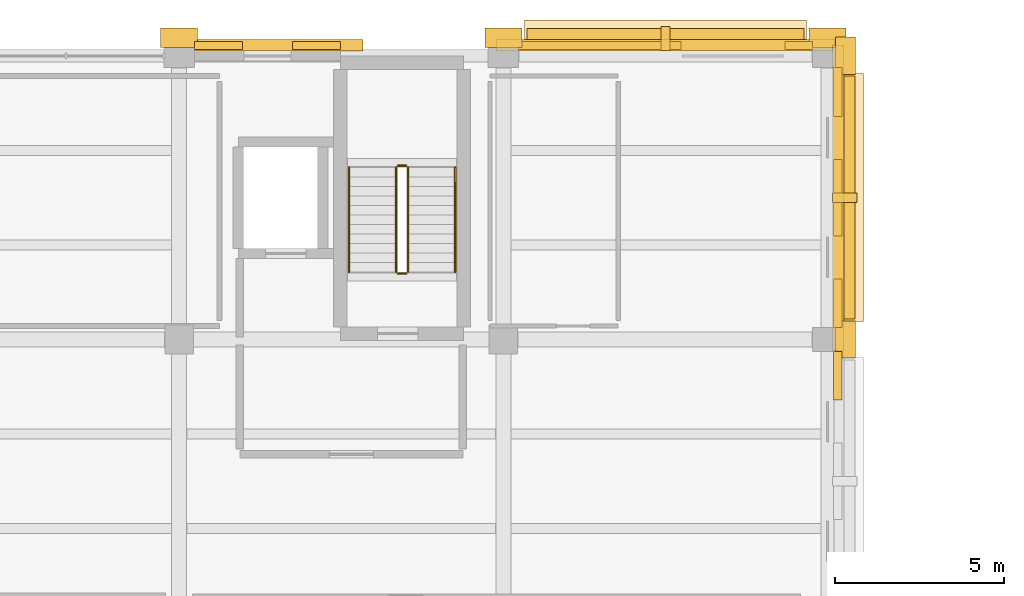
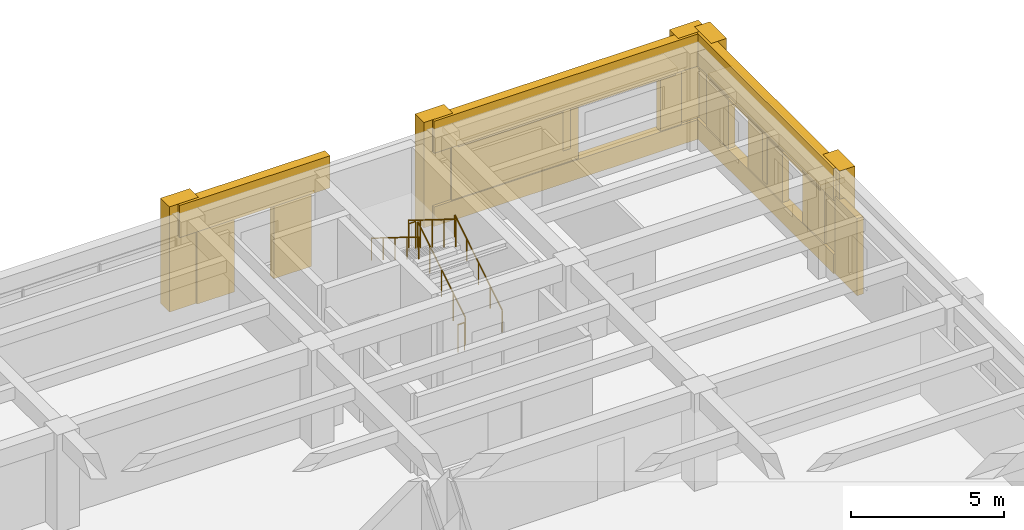
# One storey, part 58 of 58: 22 coverings, 6 railings, 2 shading devices.
"""IFC4 building model written with IfcOpenShell, lengths in metres."""

import ifcopenshell
import ifcopenshell.guid

model = None  # the IFC model being written
_history = None  # IfcOwnerHistory: only IFC2X3 demands one
_inside = {}  # id of a spatial element -> (the spatial element, [elements in it])
_under = {}  # id of a project, library or spatial element -> (it, [spatial elements below it])
_declared = {}  # id of a project -> (the project, [libraries it declares])
_typed = {}  # id of a type object -> (the type object, [elements of that type])
_made_of = {}  # id of a material, layer set ... -> (it, [elements and type objects made of it])


def new_model(schema):
    """Start an empty IFC model of exactly this schema.

    Asked for "IFC4X3", IfcOpenShell would pick the latest addendum, in which some entities
    have other attributes; the version numbers below select the first issue.
    IFC2X3 requires an IfcOwnerHistory on every rooted entity: one is made here for all.
    """
    global model, _history
    if schema == "IFC4X3":
        model = ifcopenshell.file(schema_version=(4, 3, 0, 0))
    else:
        model = ifcopenshell.file(schema=schema)
    _inside.clear()
    _under.clear()
    _declared.clear()
    _typed.clear()
    _made_of.clear()
    _history = None
    if model.schema == "IFC2X3":
        org = make("IfcOrganization", Name="unknown")
        user = make(
            "IfcPersonAndOrganization",
            ThePerson=make("IfcPerson", FamilyName="unknown"),
            TheOrganization=org,
        )
        app = make(
            "IfcApplication",
            ApplicationDeveloper=org,
            Version="unknown",
            ApplicationFullName="unknown",
            ApplicationIdentifier="unknown",
        )
        _history = make(
            "IfcOwnerHistory",
            OwningUser=user,
            OwningApplication=app,
            ChangeAction="ADDED",
            CreationDate=0,
        )
    return model


def make(cls, **values):
    """One entity of the class cls with the attributes given. An attribute that is None is left unset."""
    return model.create_entity(
        cls, **{name: value for name, value in values.items() if value is not None}
    )


def rooted(cls, **values):
    """An entity with a GlobalId (a new one), such as an element, a storey or a relation."""
    return make(cls, GlobalId=ifcopenshell.guid.new(), OwnerHistory=_history, **values)


def si_unit(unit_type, name, prefix=None):
    """IfcSIUnit, for example si_unit("LENGTHUNIT", "METRE", prefix="MILLI")."""
    return make("IfcSIUnit", UnitType=unit_type, Prefix=prefix, Name=name)


def assignment(units):
    """IfcUnitAssignment: the units of a project."""
    return None if units is None else make("IfcUnitAssignment", Units=units)


def point(xyz):
    """IfcCartesianPoint."""
    return None if xyz is None else make("IfcCartesianPoint", Coordinates=xyz)


def direction(xyz):
    """IfcDirection."""
    return None if xyz is None else make("IfcDirection", DirectionRatios=xyz)


def frame(location, z_axis=None, x_axis=None):
    """IfcAxis2Placement3D, a coordinate frame: its origin and axes. An axis left out is left unset."""
    return make(
        "IfcAxis2Placement3D",
        Location=point(location),
        Axis=direction(z_axis),
        RefDirection=direction(x_axis),
    )


def frame_2d(location, x_axis=None):
    """IfcAxis2Placement2D, a coordinate frame in the plane: its origin and x axis."""
    return make(
        "IfcAxis2Placement2D", Location=point(location), RefDirection=direction(x_axis)
    )


def origin():
    """The frame at (0, 0, 0) with its axes left unset."""
    return frame((0.0, 0.0, 0.0))


def origin_2d():
    """The frame at (0, 0) in the plane with its x axis left unset."""
    return frame_2d((0.0, 0.0))


def place(relative_to, where):
    """IfcLocalPlacement: puts the frame where relative to a parent placement (None: the world)."""
    return make(
        "IfcLocalPlacement", PlacementRelTo=relative_to, RelativePlacement=where
    )


def context(
    kind, dimensions, precision=None, world=None, true_north=None, identifier=None
):
    """IfcGeometricRepresentationContext, for example the 3D "Model" context."""
    return make(
        "IfcGeometricRepresentationContext",
        ContextIdentifier=identifier,
        ContextType=kind,
        CoordinateSpaceDimension=dimensions,
        Precision=precision,
        WorldCoordinateSystem=world,
        TrueNorth=true_north,
    )


def subcontext(parent, identifier, kind, view, scale=None):
    """IfcGeometricRepresentationSubContext, for example "Body" below "Model"."""
    return make(
        "IfcGeometricRepresentationSubContext",
        ContextIdentifier=identifier,
        ContextType=kind,
        ParentContext=parent,
        TargetScale=scale,
        TargetView=view,
    )


def project(units=None, contexts=None):
    """IfcProject with its units and contexts."""
    return rooted(
        "IfcProject",
        Name="project",
        RepresentationContexts=contexts,
        UnitsInContext=assignment(units),
    )


def spatial(cls, under=None, at=None, **own):
    """A site, building, storey or space (cls), placed at a placement, below another one or the project."""
    s = rooted(cls, ObjectPlacement=at, **own)
    if under is not None:
        _under.setdefault(under.id(), (under, []))[1].append(s)
    return s


def profile(cls, at=None, kind="AREA", **sizes):
    """A parametric profile (cls). Its sizes go by their IFC names, for example OverallWidth=200.0."""
    return make(cls, ProfileType=kind, Position=at, **sizes)


def rectangle(**sizes):
    """IfcRectangleProfileDef."""
    return profile("IfcRectangleProfileDef", **sizes)


def circle(**sizes):
    """IfcCircleProfileDef."""
    return profile("IfcCircleProfileDef", **sizes)


def extrude(swept, where, along, depth):
    """IfcExtrudedAreaSolid: the profile swept, set in the frame where, extruded along a direction by depth."""
    return make(
        "IfcExtrudedAreaSolid",
        SweptArea=swept,
        Position=where,
        ExtrudedDirection=direction(along),
        Depth=depth,
    )


def shape(context_of_items, identifier, shape_type, items):
    """IfcShapeRepresentation: the items that make up one representation, for example the "Body"."""
    return make(
        "IfcShapeRepresentation",
        ContextOfItems=context_of_items,
        RepresentationIdentifier=identifier,
        RepresentationType=shape_type,
        Items=items,
    )


def material(Name=None, Category=None):
    """IfcMaterial."""
    return make("IfcMaterial", Name=Name, Category=Category)


def layer(
    of_material, thickness, ventilated=None, Name=None, Category=None, Priority=None
):
    """IfcMaterialLayer: one layer of a wall or slab, of a material (None: an air gap)."""
    return make(
        "IfcMaterialLayer",
        Material=of_material,
        LayerThickness=thickness,
        IsVentilated=ventilated,
        Name=Name,
        Category=Category,
        Priority=Priority,
    )


def layer_set(layers, Name=None):
    """IfcMaterialLayerSet."""
    return make("IfcMaterialLayerSet", MaterialLayers=layers, LayerSetName=Name)


def made_of(thing, what):
    """Note that an element or type object is made of a material, layer set ...; save() writes the relation."""
    if what is not None:
        _made_of.setdefault(what.id(), (what, []))[1].append(thing)
    return thing


def type_object(cls, material=None, **own):
    """A type object (cls), such as IfcWallType, which elements share."""
    return made_of(rooted(cls, **own), material)


def element(
    cls,
    number,
    at=None,
    inside=None,
    cuts=None,
    type_object=None,
    material=None,
    context=None,
    identifier="Body",
    shape_type=None,
    held_by="IfcProductDefinitionShape",
    body=None,
    shapes=None,
    **own,
):
    """One element of the class cls, such as IfcWall. Its Tag is "e" and its number.

    at: its placement. inside: the storey or other place that contains it. cuts: it is an
    opening in that element (IfcRelVoidsElement). A single representation is given by context,
    identifier, shape_type and body (its items); several are given by shapes. held_by: the class
    of the entity that holds the representations. save() writes the other relations.
    """
    e = rooted(cls, Tag="e%d" % number, ObjectPlacement=at, **own)
    if body is not None:
        shapes = [shape(context, identifier, shape_type, body)]
    if shapes is not None:
        e.Representation = make(held_by, Representations=shapes)
    if inside is not None:
        _inside.setdefault(inside.id(), (inside, []))[1].append(e)
    if cuts is not None:
        rooted(
            "IfcRelVoidsElement", RelatingBuildingElement=cuts, RelatedOpeningElement=e
        )
    if type_object is not None:
        _typed.setdefault(type_object.id(), (type_object, []))[1].append(e)
    return made_of(e, material)


def aggregate(whole, parts):
    """IfcRelAggregates: a whole, such as a stair, and the parts it consists of."""
    return rooted("IfcRelAggregates", RelatingObject=whole, RelatedObjects=parts)


def save(model, path):
    """Write the relations noted so far, then the file.

    IfcRelAggregates (storeys below a building ...), IfcRelContainedInSpatialStructure (elements
    in a storey), IfcRelDefinesByType, IfcRelAssociatesMaterial and IfcRelDeclares: one each for
    every whole, place, type object, material and project.
    """
    for whole, parts in _under.values():
        aggregate(whole, parts)
    for where, things in _inside.values():
        rooted(
            "IfcRelContainedInSpatialStructure",
            RelatedElements=things,
            RelatingStructure=where,
        )
    for kind, things in _typed.values():
        rooted("IfcRelDefinesByType", RelatedObjects=things, RelatingType=kind)
    for what, things in _made_of.values():
        rooted("IfcRelAssociatesMaterial", RelatedObjects=things, RelatingMaterial=what)
    for by, libraries in _declared.values():
        rooted("IfcRelDeclares", RelatingContext=by, RelatedDefinitions=libraries)
    model.write(path)


model = new_model("IFC4")

# Units and contexts
model_context = context("Model", 3, precision=1e-05, world=origin(), true_north=direction((0.0, 1.0)))
body_context = subcontext(model_context, "Body", "Model", "MODEL_VIEW")
ifc_project = project(units=[si_unit("LENGTHUNIT", "METRE"), si_unit("AREAUNIT", "SQUARE_METRE"), si_unit("VOLUMEUNIT", "CUBIC_METRE"), si_unit("PLANEANGLEUNIT", "RADIAN"), si_unit("MASSUNIT", "GRAM", prefix="KILO")], contexts=[model_context])

# Site, building, storey
site_placement = place(None, origin())
site = spatial("IfcSite", under=ifc_project, at=site_placement, CompositionType="ELEMENT")
building_placement = place(site_placement, origin())
building = spatial("IfcBuilding", under=site, at=building_placement, Name="Bempovik Park Faculty of Sciences", CompositionType="ELEMENT")
storey_placement = place(building_placement, frame((0.0, 0.0, 18.300048828125)))
storey = spatial("IfcBuildingStorey", under=building, at=storey_placement, Name="L04", CompositionType="ELEMENT", Elevation=18.300048828125)

# Coverings
ifc_material_1 = material(Name="Precast concrete C40/50", Category="concrete")
ifc_layer_1 = layer(ifc_material_1, 0.179931640625)
ifc_layer_set_1 = layer_set([ifc_layer_1], Name="Precast concrete C40/50")
covering_type_1 = type_object("IfcCoveringType", Name="CL-02 Classical Cornice Band 180mm", PredefinedType="CLADDING", material=ifc_layer_set_1)
covering_1_placement = place(storey_placement, frame((112.800048828125, 120.0, 2.91015625), z_axis=(0.0, 0.0, 1.0), x_axis=(1.0, 0.0, 0.0)))
element("IfcCovering", 1, at=covering_1_placement, inside=storey, type_object=covering_type_1, Name="L04 Classical Stone Solar Window Hood EW-L04-9810", PredefinedType="CLADDING", context=body_context, shape_type="SweptSolid", body=[
    extrude(rectangle(XDim=8.345947265625, YDim=0.919921875, at=origin_2d()), origin(), (0.0, 0.0, 1.0), 0.219970703125),
])
covering_2_placement = place(storey_placement, frame((118.199951171875, 115.199951171875, 2.81005859375), z_axis=(0.0, 0.0, 1.0), x_axis=(1.0, 0.0, 0.0)))
element("IfcCovering", 2, at=covering_2_placement, inside=storey, type_object=covering_type_1, Name="L04 Classical Stone Solar Window Hood EW-L04-9857", PredefinedType="CLADDING", context=body_context, shape_type="SweptSolid", body=[
    extrude(rectangle(XDim=0.919921875, YDim=7.345947265625, at=origin_2d()), origin(), (0.0, 0.0, 1.0), 0.219970703125),
])
ifc_material_2 = material(Name="White reconstituted limestone precast C40/50", Category="masonry")
ifc_layer_2 = layer(ifc_material_2, 0.239990234375)
ifc_layer_set_2 = layer_set([ifc_layer_2], Name="White reconstituted limestone precast C40/50")
covering_type_2 = type_object("IfcCoveringType", Name="CL-03 Classical Fluted Limestone Pilaster 240mm", PredefinedType="CLADDING", material=ifc_layer_set_2)
covering_3_placement = place(storey_placement, frame((101.012939453125, 119.7099609375, 2.919921875), z_axis=(0.0, 0.0, 1.0), x_axis=(1.0, 0.0, 0.0)))
element("IfcCovering", 3, at=covering_3_placement, inside=storey, type_object=covering_type_2, Name="L04 Classical Limestone Spandrel Entablature EW-L04-9803", PredefinedType="CLADDING", context=body_context, shape_type="SweptSolid", body=[
    extrude(rectangle(XDim=5.672119140625, YDim=0.340087890625, at=origin_2d()), origin(), (0.0, 0.0, 1.0), 1.280029296875),
])
for number, where, z_axis, x_axis, name in (
    (4, (98.39990234375, 119.929931640625, 0.0), (0.0, 0.0, 1.0), (1.0, 0.0, 0.0), "L04 Classical Fluted Stone Pilaster PIL-BA-L04-984-1199"),
    (5, (108.0, 119.929931640625, 0.0), (0.0, 0.0, 1.0), (1.0, 0.0, 0.0), "L04 Classical Fluted Stone Pilaster PIL-BA-L04-1080-1199"),
):
    element("IfcCovering", number, at=place(storey_placement, frame(where, z_axis=z_axis, x_axis=x_axis)), inside=storey, type_object=covering_type_2, Name=name, PredefinedType="CLADDING", context=body_context, shape_type="SweptSolid", body=[
        extrude(rectangle(XDim=1.10009765625, YDim=0.580078125, at=origin_2d()), origin(), (0.0, 0.0, 1.0), 4.199951171875),
    ])
for number, where, z_axis, x_axis, name in (
    (6, (99.5625, 119.699951171875, 0.0), (0.0, 0.0, 1.0), (1.0, 0.0, 0.0), "L04 Stairwell White Limestone Cheek EW-L04-9803-1"),
    (7, (102.46337890625, 119.699951171875, 0.0), (0.0, 0.0, 1.0), (1.0, 0.0, 0.0), "L04 Stairwell White Limestone Cheek EW-L04-9803-2"),
):
    element("IfcCovering", number, at=place(storey_placement, frame(where, z_axis=z_axis, x_axis=x_axis)), inside=storey, type_object=covering_type_2, Name=name, PredefinedType="CLADDING", context=body_context, shape_type="SweptSolid", body=[
        extrude(rectangle(XDim=1.4208984375, YDim=0.239990234375, at=origin_2d()), origin(), (0.0, 0.0, 1.0), 3.080078125),
    ])
covering_4_placement = place(storey_placement, frame((112.800048828125, 119.7099609375, 2.919921875), z_axis=(0.0, 0.0, 1.0), x_axis=(1.0, 0.0, 0.0)))
element("IfcCovering", 8, at=covering_4_placement, inside=storey, type_object=covering_type_2, Name="L04 Classical Limestone Spandrel Entablature EW-L04-9810", PredefinedType="CLADDING", context=body_context, shape_type="SweptSolid", body=[
    extrude(rectangle(XDim=10.0458984375, YDim=0.340087890625, at=origin_2d()), origin(), (0.0, 0.0, 1.0), 1.280029296875),
])
covering_5_placement = place(storey_placement, frame((112.800048828125, 119.7099609375, 0.0), z_axis=(0.0, 0.0, 1.0), x_axis=(1.0, 0.0, 0.0)))
element("IfcCovering", 9, at=covering_5_placement, inside=storey, type_object=covering_type_2, Name="L04 Classical Limestone Sill Dado EW-L04-9810", PredefinedType="CLADDING", context=body_context, shape_type="SweptSolid", body=[
    extrude(rectangle(XDim=10.0458984375, YDim=0.340087890625, at=origin_2d()), origin(), (0.0, 0.0, 1.0), 0.780029296875),
])
covering_6_placement = place(storey_placement, frame((117.60009765625, 119.929931640625, 0.0), z_axis=(0.0, 0.0, 1.0), x_axis=(1.0, 0.0, 0.0)))
element("IfcCovering", 10, at=covering_6_placement, inside=storey, type_object=covering_type_2, Name="L04 Classical Fluted Stone Pilaster PIL-BA-L04-1176-1199", PredefinedType="CLADDING", context=body_context, shape_type="SweptSolid", body=[
    extrude(rectangle(XDim=1.10009765625, YDim=0.580078125, at=origin_2d()), origin(), (0.0, 0.0, 1.0), 4.199951171875),
])
covering_7_placement = place(storey_placement, frame((110.85595703125, 119.699951171875, 0.0), z_axis=(0.0, 0.0, 1.0), x_axis=(1.0, 0.0, 0.0)))
element("IfcCovering", 11, at=covering_7_placement, inside=storey, type_object=covering_type_2, Name="L04 White Limestone Wall Cheek EW-L04-9810-0", PredefinedType="CLADDING", context=body_context, shape_type="SweptSolid", body=[
    extrude(rectangle(XDim=4.80810546875, YDim=0.239990234375, at=origin_2d()), origin(), (0.0, 0.0, 1.0), 3.080078125),
])
covering_8_placement = place(storey_placement, frame((116.744140625, 119.699951171875, 0.0), z_axis=(0.0, 0.0, 1.0), x_axis=(1.0, 0.0, 0.0)))
element("IfcCovering", 12, at=covering_8_placement, inside=storey, type_object=covering_type_2, Name="L04 White Limestone Wall Cheek EW-L04-9810-2", PredefinedType="CLADDING", context=body_context, shape_type="SweptSolid", body=[
    extrude(rectangle(XDim=0.807861328125, YDim=0.239990234375, at=origin_2d()), origin(), (0.0, 0.0, 1.0), 3.080078125),
])
covering_9_placement = place(storey_placement, frame((112.800048828125, 119.909912109375, 1.300048828125), z_axis=(0.0, 0.0, 1.0), x_axis=(1.0, 0.0, 0.0)))
element("IfcCovering", 13, at=covering_9_placement, inside=storey, type_object=covering_type_2, Name="L04 Classical Vertical Stone Shading Fin EW-L04-9810", PredefinedType="CLADDING", context=body_context, shape_type="SweptSolid", body=[
    extrude(rectangle(XDim=0.280029296875, YDim=0.719970703125, at=origin_2d()), origin(), (0.0, 0.0, 1.0), 1.64990234375),
])
covering_10_placement = place(storey_placement, frame((118.1298828125, 111.0, 0.0), z_axis=(0.0, 0.0, 1.0), x_axis=(1.0, 0.0, 0.0)))
element("IfcCovering", 14, at=covering_10_placement, inside=storey, type_object=covering_type_2, Name="L04 Classical Fluted Stone Pilaster PIL-BA-L04-1181-1110", PredefinedType="CLADDING", context=body_context, shape_type="SweptSolid", body=[
    extrude(rectangle(XDim=0.580078125, YDim=1.10009765625, at=origin_2d()), origin(), (0.0, 0.0, 1.0), 4.199951171875),
])
covering_11_placement = place(storey_placement, frame((117.89990234375, 109.92919921875, 0.0), z_axis=(0.0, 0.0, 1.0), x_axis=(1.0, 0.0, 0.0)))
element("IfcCovering", 15, at=covering_11_placement, inside=storey, type_object=covering_type_2, Name="L04 White Limestone Wall Cheek EW-L04-9845-4", PredefinedType="CLADDING", context=body_context, shape_type="SweptSolid", body=[
    extrude(rectangle(XDim=0.239990234375, YDim=1.43798828125, at=origin_2d()), origin(), (0.0, 0.0, 1.0), 3.080078125),
])
covering_12_placement = place(storey_placement, frame((117.909912109375, 115.199951171875, 2.919921875), z_axis=(0.0, 0.0, 1.0), x_axis=(1.0, 0.0, 0.0)))
element("IfcCovering", 16, at=covering_12_placement, inside=storey, type_object=covering_type_2, Name="L04 Classical Limestone Spandrel Entablature EW-L04-9857", PredefinedType="CLADDING", context=body_context, shape_type="SweptSolid", body=[
    extrude(rectangle(XDim=0.340087890625, YDim=9.0458984375, at=origin_2d()), origin(), (0.0, 0.0, 1.0), 1.280029296875),
])
covering_13_placement = place(storey_placement, frame((117.909912109375, 115.199951171875, 0.0), z_axis=(0.0, 0.0, 1.0), x_axis=(1.0, 0.0, 0.0)))
element("IfcCovering", 17, at=covering_13_placement, inside=storey, type_object=covering_type_2, Name="L04 Classical Limestone Sill Dado EW-L04-9857", PredefinedType="CLADDING", context=body_context, shape_type="SweptSolid", body=[
    extrude(rectangle(XDim=0.340087890625, YDim=9.0458984375, at=origin_2d()), origin(), (0.0, 0.0, 1.0), 0.780029296875),
])
covering_14_placement = place(storey_placement, frame((118.1298828125, 119.39990234375, 0.0), z_axis=(0.0, 0.0, 1.0), x_axis=(1.0, 0.0, 0.0)))
element("IfcCovering", 18, at=covering_14_placement, inside=storey, type_object=covering_type_2, Name="L04 Classical Fluted Stone Pilaster PIL-BA-L04-1181-1194", PredefinedType="CLADDING", context=body_context, shape_type="SweptSolid", body=[
    extrude(rectangle(XDim=0.580078125, YDim=1.10009765625, at=origin_2d()), origin(), (0.0, 0.0, 1.0), 4.199951171875),
])
covering_15_placement = place(storey_placement, frame((117.89990234375, 112.071044921875, 0.0), z_axis=(0.0, 0.0, 1.0), x_axis=(1.0, 0.0, 0.0)))
element("IfcCovering", 19, at=covering_15_placement, inside=storey, type_object=covering_type_2, Name="L04 White Limestone Wall Cheek EW-L04-9857-0", PredefinedType="CLADDING", context=body_context, shape_type="SweptSolid", body=[
    extrude(rectangle(XDim=0.239990234375, YDim=1.43798828125, at=origin_2d()), origin(), (0.0, 0.0, 1.0), 3.080078125),
])
covering_16_placement = place(storey_placement, frame((117.89990234375, 115.199951171875, 0.0), z_axis=(0.0, 0.0, 1.0), x_axis=(1.0, 0.0, 0.0)))
element("IfcCovering", 20, at=covering_16_placement, inside=storey, type_object=covering_type_2, Name="L04 White Limestone Wall Cheek EW-L04-9857-2", PredefinedType="CLADDING", context=body_context, shape_type="SweptSolid", body=[
    extrude(rectangle(XDim=0.239990234375, YDim=2.26025390625, at=origin_2d()), origin(), (0.0, 0.0, 1.0), 3.080078125),
])
covering_17_placement = place(storey_placement, frame((117.89990234375, 118.3291015625, 0.0), z_axis=(0.0, 0.0, 1.0), x_axis=(1.0, 0.0, 0.0)))
element("IfcCovering", 21, at=covering_17_placement, inside=storey, type_object=covering_type_2, Name="L04 White Limestone Wall Cheek EW-L04-9857-4", PredefinedType="CLADDING", context=body_context, shape_type="SweptSolid", body=[
    extrude(rectangle(XDim=0.239990234375, YDim=1.43798828125, at=origin_2d()), origin(), (0.0, 0.0, 1.0), 3.080078125),
])
covering_18_placement = place(storey_placement, frame((118.110107421875, 115.199951171875, 0.89990234375), z_axis=(0.0, 0.0, 1.0), x_axis=(1.0, 0.0, 0.0)))
element("IfcCovering", 22, at=covering_18_placement, inside=storey, type_object=covering_type_2, Name="L04 Classical Vertical Stone Shading Fin EW-L04-9857", PredefinedType="CLADDING", context=body_context, shape_type="SweptSolid", body=[
    extrude(rectangle(XDim=0.719970703125, YDim=0.280029296875, at=origin_2d()), origin(), (0.0, 0.0, 1.0), 1.949951171875),
])

# Railings
ifc_material_3 = material(Name="Anodised architectural bronze")
railing_type_1 = type_object("IfcRailingType", Name="GR-01 Guardrail 1120mm", PredefinedType="GUARDRAIL", material=ifc_material_3)
railing_1_placement = place(storey_placement, frame((105.175048828125, 113.0, 0.175048828125)))
element("IfcRailing", 23, at=railing_1_placement, inside=storey, type_object=railing_type_1, Name="L04 ST-2 Stair Guard 1", PredefinedType="GUARDRAIL", context=body_context, shape_type="SweptSolid", body=[
    extrude(circle(Radius=0.02392578125, at=origin_2d()), frame((0.0, 0.0, 1.09619140625), z_axis=(0.0, 0.849080647218, 0.528263243582), x_axis=(-1.0, 0.0, 0.0)), (0.0, 0.0, 1.0), 3.6435546875),
    extrude(circle(Radius=0.02099609375, at=origin_2d()), origin(), (0.0, 0.0, 1.0), 1.072021484375),
    extrude(circle(Radius=0.02099609375, at=origin_2d()), frame((0.0, 0.7734375, 0.481201171875)), (0.0, 0.0, 1.0), 1.072021484375),
    extrude(circle(Radius=0.02099609375, at=origin_2d()), frame((0.0, 1.546875, 0.96240234375)), (0.0, 0.0, 1.0), 1.072021484375),
    extrude(circle(Radius=0.02099609375, at=origin_2d()), frame((0.0, 2.3203125, 1.443603515625)), (0.0, 0.0, 1.0), 1.072021484375),
    extrude(circle(Radius=0.02099609375, at=origin_2d()), frame((0.0, 3.09375, 1.9248046875)), (0.0, 0.0, 1.0), 1.072021484375),
])
railing_2_placement = place(storey_placement, frame((105.125, 116.143798828125, 2.099853515625)))
element("IfcRailing", 24, at=railing_2_placement, inside=storey, type_object=railing_type_1, Name="L04 ST-2 Stair Guard 2", PredefinedType="GUARDRAIL", context=body_context, shape_type="SweptSolid", body=[
    extrude(circle(Radius=0.02392578125, at=origin_2d()), frame((0.0, 0.0, 1.09619140625), z_axis=(-1.0, 0.0, 0.0), x_axis=(0.0, -1.0, 0.0)), (0.0, 0.0, 1.0), 0.25),
    extrude(circle(Radius=0.02099609375, at=origin_2d()), origin(), (0.0, 0.0, 1.0), 1.072021484375),
    extrude(circle(Radius=0.02099609375, at=origin_2d()), frame((-0.25, 0.0, 0.0)), (0.0, 0.0, 1.0), 1.072021484375),
])
railing_3_placement = place(storey_placement, frame((104.824951171875, 116.09375, 2.27490234375)))
element("IfcRailing", 25, at=railing_3_placement, inside=storey, type_object=railing_type_1, Name="L04 ST-2 Stair Guard 3", PredefinedType="GUARDRAIL", context=body_context, shape_type="SweptSolid", body=[
    extrude(circle(Radius=0.02392578125, at=origin_2d()), frame((0.0, 0.0, 1.09619140625), z_axis=(0.0, -0.84905059285, 0.528311547082), x_axis=(1.0, 0.0, 0.0)), (0.0, 0.0, 1.0), 3.643798828125),
    extrude(circle(Radius=0.02099609375, at=origin_2d()), origin(), (0.0, 0.0, 1.0), 1.072021484375),
    extrude(circle(Radius=0.02099609375, at=origin_2d()), frame((0.0, -0.7734375, 0.481201171875)), (0.0, 0.0, 1.0), 1.072021484375),
    extrude(circle(Radius=0.02099609375, at=origin_2d()), frame((0.0, -1.546875, 0.96240234375)), (0.0, 0.0, 1.0), 1.072021484375),
    extrude(circle(Radius=0.02099609375, at=origin_2d()), frame((0.0, -2.3203125, 1.44384765625)), (0.0, 0.0, 1.0), 1.072021484375),
    extrude(circle(Radius=0.02099609375, at=origin_2d()), frame((0.0, -3.09375, 1.925048828125)), (0.0, 0.0, 1.0), 1.072021484375),
])
railing_4_placement = place(storey_placement, frame((105.125, 112.949951171875, 0.0)))
element("IfcRailing", 26, at=railing_4_placement, inside=storey, type_object=railing_type_1, Name="L04 ST-2 Stair Guard 4", PredefinedType="GUARDRAIL", context=body_context, shape_type="SweptSolid", body=[
    extrude(circle(Radius=0.02392578125, at=origin_2d()), frame((0.0, 0.0, 1.09619140625), z_axis=(-1.0, 0.0, 0.0), x_axis=(0.0, -1.0, 0.0)), (0.0, 0.0, 1.0), 0.25),
    extrude(circle(Radius=0.02099609375, at=origin_2d()), origin(), (0.0, 0.0, 1.0), 1.072021484375),
    extrude(circle(Radius=0.02099609375, at=origin_2d()), frame((-0.25, 0.0, 0.0)), (0.0, 0.0, 1.0), 1.072021484375),
])
railing_type_2 = type_object("IfcRailingType", Name="HR-01 Wall Handrail 900mm", PredefinedType="HANDRAIL", material=ifc_material_3)
railing_5_placement = place(storey_placement, frame((106.574951171875, 113.0, 0.175048828125)))
element("IfcRailing", 27, at=railing_5_placement, inside=storey, type_object=railing_type_2, Name="L04 ST-2 Stair Handrail 1", PredefinedType="HANDRAIL", context=body_context, shape_type="SweptSolid", body=[
    extrude(circle(Radius=0.02392578125, at=origin_2d()), frame((0.0, 0.0, 0.8759765625), z_axis=(0.0, 0.849080647218, 0.528263243582), x_axis=(-1.0, 0.0, 0.0)), (0.0, 0.0, 1.0), 3.6435546875),
    extrude(circle(Radius=0.02099609375, at=origin_2d()), origin(), (0.0, 0.0, 1.0), 0.851806640625),
    extrude(circle(Radius=0.02099609375, at=origin_2d()), frame((0.0, 0.7734375, 0.481201171875)), (0.0, 0.0, 1.0), 0.851806640625),
    extrude(circle(Radius=0.02099609375, at=origin_2d()), frame((0.0, 1.546875, 0.96240234375)), (0.0, 0.0, 1.0), 0.851806640625),
    extrude(circle(Radius=0.02099609375, at=origin_2d()), frame((0.0, 2.3203125, 1.443603515625)), (0.0, 0.0, 1.0), 0.851806640625),
    extrude(circle(Radius=0.02099609375, at=origin_2d()), frame((0.0, 3.09375, 1.9248046875)), (0.0, 0.0, 1.0), 0.851806640625),
])
railing_6_placement = place(storey_placement, frame((103.425048828125, 116.09375, 2.27490234375)))
element("IfcRailing", 28, at=railing_6_placement, inside=storey, type_object=railing_type_2, Name="L04 ST-2 Stair Handrail 2", PredefinedType="HANDRAIL", context=body_context, shape_type="SweptSolid", body=[
    extrude(circle(Radius=0.02392578125, at=origin_2d()), frame((0.0, 0.0, 0.8759765625), z_axis=(0.0, -0.84905059285, 0.528311547082), x_axis=(1.0, 0.0, 0.0)), (0.0, 0.0, 1.0), 3.643798828125),
    extrude(circle(Radius=0.02099609375, at=origin_2d()), origin(), (0.0, 0.0, 1.0), 0.851806640625),
    extrude(circle(Radius=0.02099609375, at=origin_2d()), frame((0.0, -0.7734375, 0.481201171875)), (0.0, 0.0, 1.0), 0.851806640625),
    extrude(circle(Radius=0.02099609375, at=origin_2d()), frame((0.0, -1.546875, 0.96240234375)), (0.0, 0.0, 1.0), 0.851806640625),
    extrude(circle(Radius=0.02099609375, at=origin_2d()), frame((0.0, -2.3203125, 1.44384765625)), (0.0, 0.0, 1.0), 0.851806640625),
    extrude(circle(Radius=0.02099609375, at=origin_2d()), frame((0.0, -3.09375, 1.925048828125)), (0.0, 0.0, 1.0), 0.851806640625),
])

# Shading devices
ifc_layer_3 = layer(ifc_material_3, 0.06005859375)
ifc_layer_set_3 = layer_set([ifc_layer_3], Name="Anodised architectural bronze")
shading_device_type = type_object("IfcShadingDeviceType", Name="SH-01 Bronze Brise-Soleil Fin", PredefinedType="USERDEFINED", material=ifc_layer_set_3)
shading_device_1_placement = place(storey_placement, frame((112.800048828125, 119.8798828125, 2.849853515625), z_axis=(0.0, 0.0, 1.0), x_axis=(1.0, 0.0, 0.0)))
element("IfcShadingDevice", 29, at=shading_device_1_placement, inside=storey, type_object=shading_device_type, Name="L04 Equatorial Bronze Brise-Soleil EW-L04-9810", ObjectType="BRISE SOLEIL", PredefinedType="USERDEFINED", context=body_context, shape_type="SweptSolid", body=[
    extrude(rectangle(XDim=8.196044921875, YDim=0.64990234375, at=origin_2d()), origin(), (0.0, 0.0, 1.0), 0.06005859375),
])
shading_device_2_placement = place(storey_placement, frame((118.080078125, 115.199951171875, 2.75), z_axis=(0.0, 0.0, 1.0), x_axis=(1.0, 0.0, 0.0)))
element("IfcShadingDevice", 30, at=shading_device_2_placement, inside=storey, type_object=shading_device_type, Name="L04 Equatorial Bronze Brise-Soleil EW-L04-9857", ObjectType="BRISE SOLEIL", PredefinedType="USERDEFINED", context=body_context, shape_type="SweptSolid", body=[
    extrude(rectangle(XDim=0.64990234375, YDim=7.196044921875, at=origin_2d()), origin(), (0.0, 0.0, 1.0), 0.06005859375),
])

save(model, "model.ifc")
